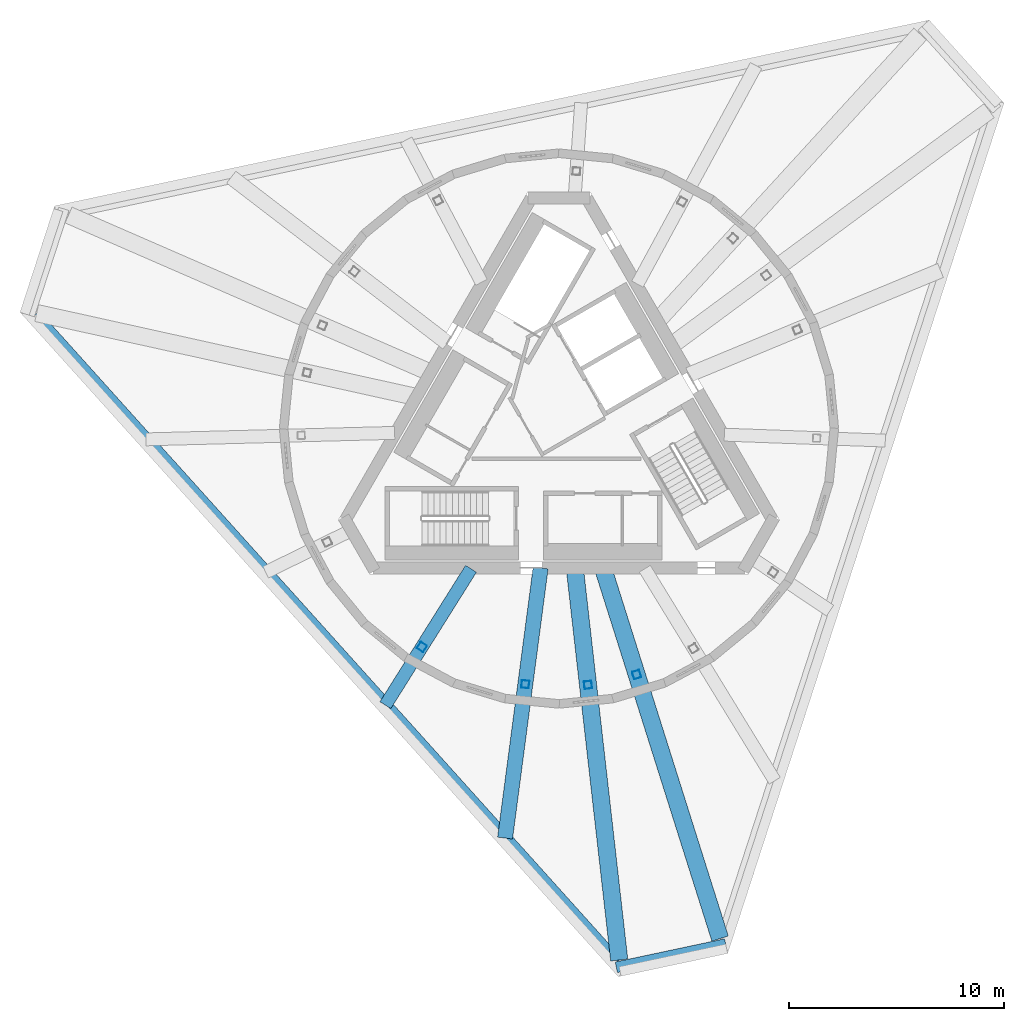
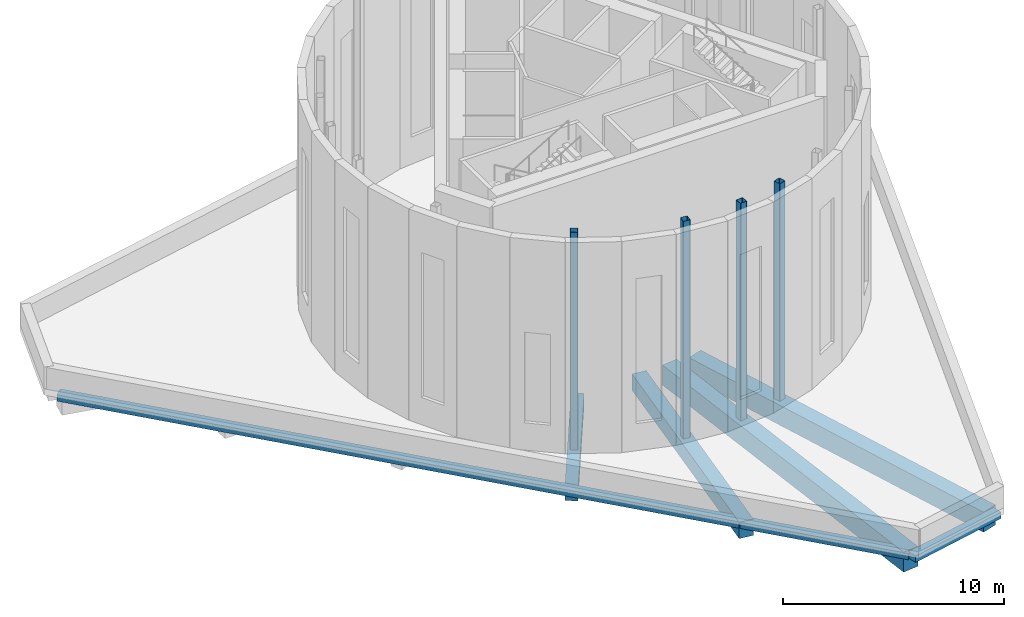
# One storey, part 1 of 9: 6 beams, 4 members.
"""IFC4 building model written with IfcOpenShell, lengths in metres."""

from ifc_helpers import new_model, si_unit, direction, frame, origin, origin_2d, place, context, subcontext, project, spatial, rectangle, hollow_rectangle, extrude, material, material_profile, profile_set, type_object, element, save


model = new_model("IFC4")

# Units and contexts
model_context = context("Model", 3, precision=1e-05, world=origin(), true_north=direction((0.0, 1.0)))
body_context = subcontext(model_context, "Body", "Model", "MODEL_VIEW")
ifc_project = project(units=[si_unit("LENGTHUNIT", "METRE"), si_unit("AREAUNIT", "SQUARE_METRE"), si_unit("VOLUMEUNIT", "CUBIC_METRE"), si_unit("PLANEANGLEUNIT", "RADIAN"), si_unit("MASSUNIT", "GRAM", prefix="KILO")], contexts=[model_context])

# Site, building, storey
site_placement = place(None, origin())
site = spatial("IfcSite", under=ifc_project, at=site_placement, CompositionType="ELEMENT")
building_placement = place(site_placement, origin())
building = spatial("IfcBuilding", under=site, at=building_placement, Name="Tramontana Tower", CompositionType="ELEMENT")
storey_placement = place(building_placement, frame((0.0, 0.0, 380.89990234375)))
storey = spatial("IfcBuildingStorey", under=building, at=storey_placement, Name="Crown", CompositionType="ELEMENT", Elevation=380.89990234375)

# Members
ifc_material_1 = material(Name="Steel ASTM A500 Grade C", Category="steel")
ifc_material_profile_1 = material_profile(ifc_material_1, hollow_rectangle(XDim=0.355712890625, YDim=0.355712890625, WallThickness=0.01171875, InnerFilletRadius=0.01171875, OuterFilletRadius=0.023681640625, at=origin_2d()), Name="HSS14X14X1/2")
ifc_profile_set_1 = profile_set([ifc_material_profile_1], Name="Steel ASTM A500 Grade C")
member_type = type_object("IfcMemberType", Name="Drum HSS14X14X1/2 post", PredefinedType="POST", material=ifc_profile_set_1)
for number, where, z_axis, x_axis, name in (
    (1, (-6.37158203125, -10.154541015625, -0.349853515625), (0.0, 0.0, 1.0), (-0.531505777627, -0.847054666683, 0.0), "Drum post 03"),
    (2, (-1.564208984375, -11.884765625, -0.349853515625), (0.0, 0.0, 1.0), (-0.130479554604, -0.991451000217, 0.0), "Drum post 04"),
    (3, (1.35107421875, -11.916259765625, -0.349853515625), (0.0, 0.0, 1.0), (0.112656886945, -0.993633949613, 0.0), "Drum post 05"),
    (4, (3.613037109375, -11.43701171875, -0.349853515625), (0.0, 0.0, 1.0), (0.301230149771, -0.953551465244, 0.0), "Drum post 06"),
):
    element("IfcMember", number, at=place(storey_placement, frame(where, z_axis=z_axis, x_axis=x_axis)), inside=storey, type_object=member_type, Name=name, PredefinedType="POST", context=body_context, shape_type="SweptSolid", body=[
        extrude(hollow_rectangle(XDim=0.355712890625, YDim=0.355712890625, WallThickness=0.01171875, InnerFilletRadius=0.01171875, OuterFilletRadius=0.023681640625, at=origin_2d()), origin(), (0.0, 0.0, 1.0), 12.0),
    ])

# Beams
ifc_material_2 = material(Name="Concrete 40 MPa", Category="concrete")
ifc_material_profile_2 = material_profile(ifc_material_2, rectangle(XDim=0.5, YDim=0.35009765625, at=origin_2d()), Name="RC EDGE BEAM 500X350 40 MPa")
ifc_profile_set_2 = profile_set([ifc_material_profile_2], Name="Concrete 40 MPa")
beam_type_1 = type_object("IfcBeamType", Name="RC EDGE BEAM 500X350 40 MPa", PredefinedType="SPANDREL", material=ifc_profile_set_2)
beam_1_placement = place(storey_placement, frame((-24.352294921875, 5.301513671875, -0.52490234375), z_axis=(0.669126699639, -0.743148343086, 0.0), x_axis=(0.743148343086, 0.669126699639, 0.0)))
element("IfcBeam", 5, at=beam_1_placement, inside=storey, type_object=beam_type_1, Name="Spandrel beam S0 Crown", PredefinedType="SPANDREL", context=body_context, shape_type="SweptSolid", body=[
    extrude(rectangle(XDim=0.5, YDim=0.35009765625, at=origin_2d()), origin(), (0.0, 0.0, 1.0), 40.46923828125),
])
beam_2_placement = place(storey_placement, frame((2.6669921875, -25.042724609375, -0.52490234375), z_axis=(0.97814762463, 0.207911578393, 0.0), x_axis=(-0.207911578393, 0.97814762463, 0.0)))
element("IfcBeam", 6, at=beam_2_placement, inside=storey, type_object=beam_type_1, Name="Spandrel beam K1 Crown", PredefinedType="SPANDREL", context=body_context, shape_type="SweptSolid", body=[
    extrude(rectangle(XDim=0.5, YDim=0.35009765625, at=origin_2d()), origin(), (0.0, 0.0, 1.0), 5.196044921875),
])
ifc_material_3 = material(Name="Concrete 40 MPa", Category="concrete")
ifc_material_profile_3 = material_profile(ifc_material_3, rectangle(XDim=0.60009765625, YDim=0.699951171875, at=origin_2d()), Name="RC GIRDER 600X700 40 MPa")
ifc_profile_set_3 = profile_set([ifc_material_profile_3], Name="Concrete 40 MPa")
beam_type_2 = type_object("IfcBeamType", Name="RC GIRDER 600X700 40 MPa", PredefinedType="BEAM", material=ifc_profile_set_3)
beam_3_placement = place(storey_placement, frame((-8.068359375, -12.8583984375, -0.699951171875), z_axis=(0.531504835363, 0.847055257929, 0.0), x_axis=(-0.847055257929, 0.531504835363, 0.0)))
element("IfcBeam", 7, at=beam_3_placement, inside=storey, type_object=beam_type_2, Name="Radial girder C8F03 Crown", PredefinedType="BEAM", context=body_context, shape_type="SweptSolid", body=[
    extrude(rectangle(XDim=0.60009765625, YDim=0.699951171875, at=origin_2d()), origin(), (0.0, 0.0, 1.0), 7.486328125),
])
ifc_material_4 = material(Name="Concrete 40 MPa", Category="concrete")
ifc_material_profile_4 = material_profile(ifc_material_4, rectangle(XDim=0.699951171875, YDim=0.89990234375, at=origin_2d()), Name="RC GIRDER 700X900 40 MPa")
ifc_profile_set_4 = profile_set([ifc_material_profile_4], Name="Concrete 40 MPa")
beam_type_3 = type_object("IfcBeamType", Name="RC GIRDER 700X900 40 MPa", PredefinedType="BEAM", material=ifc_profile_set_4)
beam_4_placement = place(storey_placement, frame((-2.50537109375, -19.036865234375, -0.7998046875), z_axis=(0.130493398369, 0.991449178214, 0.0), x_axis=(-0.991449178214, 0.130493398369, 0.0)))
element("IfcBeam", 8, at=beam_4_placement, inside=storey, type_object=beam_type_3, Name="Radial girder C8F04 Crown", PredefinedType="BEAM", context=body_context, shape_type="SweptSolid", body=[
    extrude(rectangle(XDim=0.699951171875, YDim=0.89990234375, at=origin_2d()), origin(), (0.0, 0.0, 1.0), 12.66796875),
])
ifc_material_5 = material(Name="Concrete 40 MPa", Category="concrete")
ifc_material_profile_5 = material_profile(ifc_material_5, rectangle(XDim=0.800048828125, YDim=1.10009765625, at=origin_2d()), Name="RC GIRDER 800X1100 40 MPa")
ifc_profile_set_5 = profile_set([ifc_material_profile_5], Name="Concrete 40 MPa")
beam_type_4 = type_object("IfcBeamType", Name="RC GIRDER 800X1100 40 MPa", PredefinedType="BEAM", material=ifc_profile_set_5)
beam_5_placement = place(storey_placement, frame((2.80126953125, -24.706298828125, -0.89990234375), z_axis=(-0.112660068087, 0.993633588934, 0.0), x_axis=(-0.993633588934, -0.112660068087, 0.0)))
element("IfcBeam", 9, at=beam_5_placement, inside=storey, type_object=beam_type_4, Name="Radial girder C8K2 Crown", PredefinedType="BEAM", context=body_context, shape_type="SweptSolid", body=[
    extrude(rectangle(XDim=0.800048828125, YDim=1.10009765625, at=origin_2d()), origin(), (0.0, 0.0, 1.0), 18.34619140625),
])
beam_6_placement = place(storey_placement, frame((7.489990234375, -23.709716796875, -0.89990234375), z_axis=(-0.301228407795, 0.953552015538, 0.0), x_axis=(-0.953552015538, -0.301228407795, 0.0)))
element("IfcBeam", 10, at=beam_6_placement, inside=storey, type_object=beam_type_4, Name="Radial girder C8K3 Crown", PredefinedType="BEAM", context=body_context, shape_type="SweptSolid", body=[
    extrude(rectangle(XDim=0.800048828125, YDim=1.10009765625, at=origin_2d()), origin(), (0.0, 0.0, 1.0), 18.060791015625),
])

save(model, "model.ifc")
